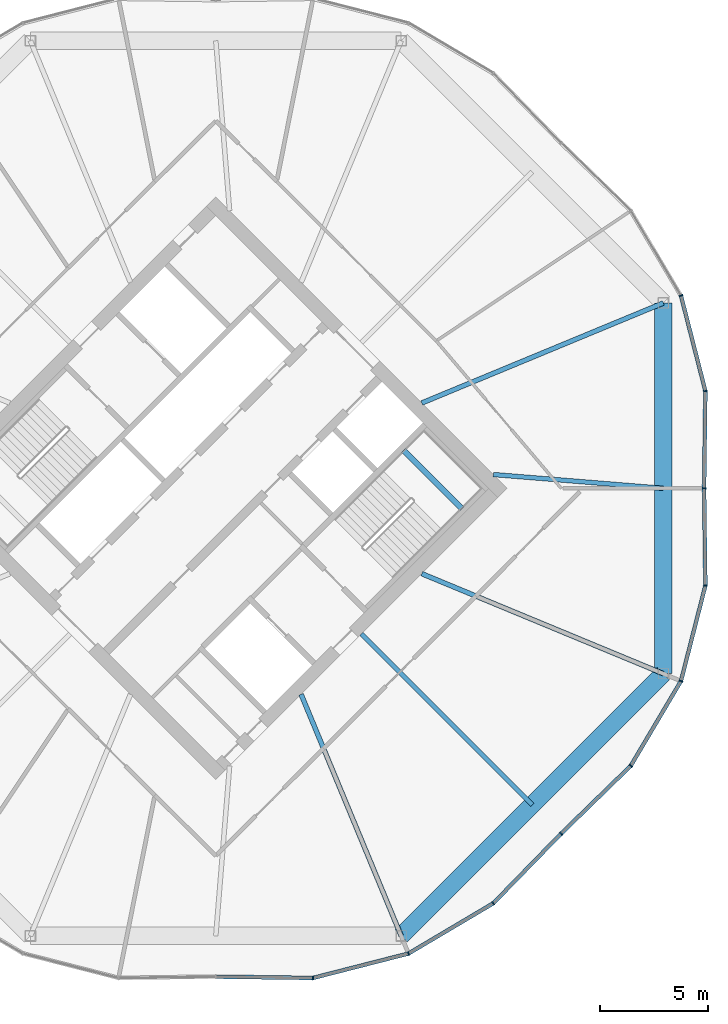
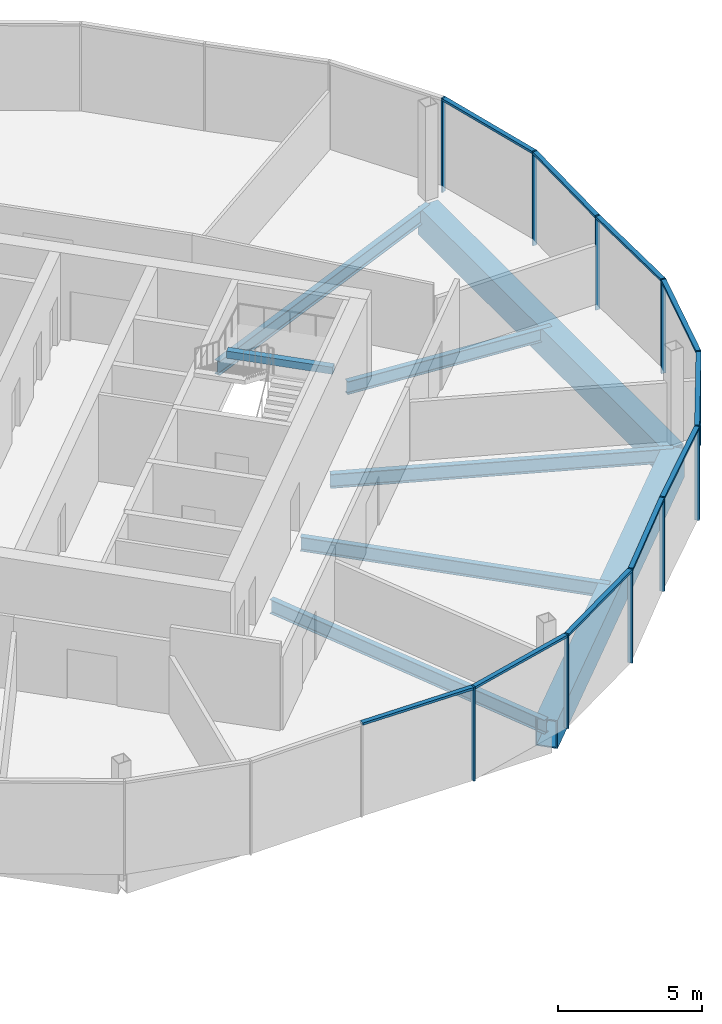
# One storey, part 14 of 25: 20 members, 8 beams, 3 elements without a shape of their own.
"""IFC4 building model written with IfcOpenShell, lengths in metres."""

from ifc_helpers import new_model, si_unit, direction, frame, origin, origin_2d, place, context, subcontext, project, spatial, rectangle, hollow_rectangle, i_section, extrude, material, material_profile, profile_set, type_object, element, aggregate, save


model = new_model("IFC4")

# Units and contexts
model_context = context("Model", 3, precision=1e-05, world=origin(), true_north=direction((0.0, 1.0)))
body_context = subcontext(model_context, "Body", "Model", "MODEL_VIEW")
ifc_project = project(units=[si_unit("LENGTHUNIT", "METRE"), si_unit("AREAUNIT", "SQUARE_METRE"), si_unit("VOLUMEUNIT", "CUBIC_METRE"), si_unit("PLANEANGLEUNIT", "RADIAN"), si_unit("MASSUNIT", "GRAM", prefix="KILO")], contexts=[model_context])

# Site, building, storey
site_placement = place(None, origin())
site = spatial("IfcSite", under=ifc_project, at=site_placement, CompositionType="ELEMENT")
building_placement = place(site_placement, origin())
building = spatial("IfcBuilding", under=site, at=building_placement, Name="Ogive Gate Towers", CompositionType="ELEMENT")
storey_placement = place(building_placement, frame((0.0, 0.0, 152.800048828125)))
storey = spatial("IfcBuildingStorey", under=building, at=storey_placement, Name="L36", CompositionType="ELEMENT", Elevation=152.800048828125)

# Beams
ifc_material_1 = material(Name="Steel SM460", Category="steel")
ifc_material_profile_1 = material_profile(ifc_material_1, hollow_rectangle(XDim=0.800048828125, YDim=1.199951171875, WallThickness=0.050048828125, at=origin_2d()), Name="BX 1200x800x50")
ifc_profile_set_1 = profile_set([ifc_material_profile_1], Name="Steel SM460")
beam_type_1 = type_object("IfcBeamType", Name="Edge girder BX 1200x800x50", PredefinedType="BEAM", material=ifc_profile_set_1)
beam_1_placement = place(storey_placement, frame((44.549072265625, -20.639404296875, -0.900146484375), z_axis=(0.707106781187, 0.707106781187, 0.0), x_axis=(-0.707106781187, 0.707106781187, 0.0)))
element("IfcBeam", 1, at=beam_1_placement, inside=storey, type_object=beam_type_1, Name="T2/L36/SBM019", PredefinedType="BEAM", context=body_context, shape_type="SweptSolid", body=[
    extrude(hollow_rectangle(XDim=0.800048828125, YDim=1.199951171875, WallThickness=0.050048828125, at=origin_2d()), origin(), (0.0, 0.0, 1.0), 17.098388671875),
])
beam_2_placement = place(storey_placement, frame((56.639404296875, -8.549072265625, -0.900146484375), z_axis=(0.0, 1.0, 0.0), x_axis=(-1.0, 0.0, 0.0)))
element("IfcBeam", 2, at=beam_2_placement, inside=storey, type_object=beam_type_1, Name="T2/L36/SBM020", PredefinedType="BEAM", context=body_context, shape_type="SweptSolid", body=[
    extrude(hollow_rectangle(XDim=0.800048828125, YDim=1.199951171875, WallThickness=0.050048828125, at=origin_2d()), origin(), (0.0, 0.0, 1.0), 17.09814453125),
])
ifc_material_2 = material(Name="Concrete C40/50", Category="concrete")
ifc_material_profile_2 = material_profile(ifc_material_2, rectangle(XDim=0.25, YDim=0.300048828125, at=origin_2d()), Name="RC 250x300")
ifc_profile_set_2 = profile_set([ifc_material_profile_2], Name="Concrete C40/50")
beam_type_2 = type_object("IfcBeamType", Name="Landing bearer RC 250x300", PredefinedType="BEAM", material=ifc_profile_set_2)
beam_3_placement = place(storey_placement, frame((47.35888671875, -0.94482421875, 1.64990234375), z_axis=(-0.707138693938, 0.707074866995, 0.0), x_axis=(-0.707074866995, -0.707138693938, 0.0)))
element("IfcBeam", 3, at=beam_3_placement, inside=storey, type_object=beam_type_2, Name="T2 L36 stair 2 landing bearer 1", PredefinedType="BEAM", context=body_context, shape_type="SweptSolid", body=[
    extrude(rectangle(XDim=0.25, YDim=0.300048828125, at=origin_2d()), origin(), (0.0, 0.0, 1.0), 3.824951171875),
])
ifc_material_3 = material(Name="Steel SM355", Category="steel")
ifc_material_profile_3 = material_profile(ifc_material_3, i_section(OverallWidth=0.2099609375, OverallDepth=0.550048828125, WebThickness=0.010986328125, FlangeThickness=0.01708984375, FilletRadius=0.02392578125, at=origin_2d()), Name="IPE 550")
ifc_profile_set_3 = profile_set([ifc_material_profile_3], Name="Steel SM355")
beam_type_3 = type_object("IfcBeamType", Name="Radial floor beam IPE 550", PredefinedType="BEAM", material=ifc_profile_set_3)
beam_4_placement = place(storey_placement, frame((48.798583984375, 0.636474609375, -0.574951171875), z_axis=(0.996721544062, -0.080908365468, 0.0), x_axis=(0.080908365468, 0.996721544062, 0.0)))
element("IfcBeam", 4, at=beam_4_placement, inside=storey, type_object=beam_type_3, Name="T2/L36/SBM008", PredefinedType="BEAM", context=body_context, shape_type="SweptSolid", body=[
    extrude(i_section(OverallWidth=0.2099609375, OverallDepth=0.550048828125, WebThickness=0.010986328125, FlangeThickness=0.01708984375, FilletRadius=0.02392578125, at=origin_2d()), origin(), (0.0, 0.0, 1.0), 7.86669921875),
])
ifc_material_profile_4 = material_profile(ifc_material_3, i_section(OverallWidth=0.219970703125, OverallDepth=0.60009765625, WebThickness=0.011962890625, FlangeThickness=0.01904296875, FilletRadius=0.02392578125, at=origin_2d()), Name="IPE 600")
ifc_profile_set_4 = profile_set([ifc_material_profile_4], Name="Steel SM355")
beam_type_4 = type_object("IfcBeamType", Name="Radial floor beam IPE 600", PredefinedType="BEAM", material=ifc_profile_set_4)
beam_5_placement = place(storey_placement, frame((39.93505859375, -9.5, -0.60009765625), z_axis=(0.382677863518, -0.923881839184, 0.0), x_axis=(0.923881839184, 0.382677863518, 0.0)))
element("IfcBeam", 5, at=beam_5_placement, inside=storey, type_object=beam_type_4, Name="T2/L36/SBM005", PredefinedType="BEAM", context=body_context, shape_type="SweptSolid", body=[
    extrude(i_section(OverallWidth=0.219970703125, OverallDepth=0.60009765625, WebThickness=0.011962890625, FlangeThickness=0.01904296875, FilletRadius=0.02392578125, at=origin_2d()), origin(), (0.0, 0.0, 1.0), 12.05712890625),
])
beam_6_placement = place(storey_placement, frame((42.717529296875, -6.717529296875, -0.60009765625), z_axis=(0.707106781187, -0.707106781187, 0.0), x_axis=(0.707106781187, 0.707106781187, 0.0)))
element("IfcBeam", 6, at=beam_6_placement, inside=storey, type_object=beam_type_4, Name="T2/L36/SBM006", PredefinedType="BEAM", context=body_context, shape_type="SweptSolid", body=[
    extrude(i_section(OverallWidth=0.219970703125, OverallDepth=0.60009765625, WebThickness=0.011962890625, FlangeThickness=0.01904296875, FilletRadius=0.02392578125, at=origin_2d()), origin(), (0.0, 0.0, 1.0), 11.139404296875),
])
for number, where, z_axis, x_axis, name in (
    (7, (45.5, -3.93505859375, -0.60009765625), (0.923881839184, -0.382677863518, 0.0), (0.382677863518, 0.923881839184, 0.0), "T2/L36/SBM007"),
    (8, (45.5, 3.93505859375, -0.60009765625), (0.923881839184, 0.382677863518, 0.0), (-0.382677863518, 0.923881839184, 0.0), "T2/L36/SBM009"),
):
    element("IfcBeam", number, at=place(storey_placement, frame(where, z_axis=z_axis, x_axis=x_axis)), inside=storey, type_object=beam_type_4, Name=name, PredefinedType="BEAM", context=body_context, shape_type="SweptSolid", body=[
        extrude(i_section(OverallWidth=0.219970703125, OverallDepth=0.60009765625, WebThickness=0.011962890625, FlangeThickness=0.01904296875, FilletRadius=0.02392578125, at=origin_2d()), origin(), (0.0, 0.0, 1.0), 12.05712890625),
    ])

# Curtain wall, members
ifc_material_4 = material(Name="Pale metal aluminium", Category="aluminium")
curtain_wall_type = type_object("IfcCurtainWallType", Name="Tower unitised wall, high zone", PredefinedType="NOTDEFINED", material=ifc_material_4)
curtain_wall_1_placement = place(storey_placement, origin())
curtain_wall_1 = element("IfcCurtainWall", 9, at=curtain_wall_1_placement, inside=storey, type_object=curtain_wall_type, Name="CW2 T2 ECW01", PredefinedType="NOTDEFINED")
ifc_material_profile_5 = material_profile(ifc_material_4, rectangle(XDim=0.179931640625, YDim=0.06005859375, at=origin_2d()), Name="60 x 180 aluminium box")
ifc_profile_set_5 = profile_set([ifc_material_profile_5], Name="Pale metal aluminium")
member_type_1 = type_object("IfcMemberType", Name="Tower unitised wall, high zone mullion 60 x 180", PredefinedType="MULLION", material=ifc_profile_set_5)
member_1_placement = place(storey_placement, frame((58.52001953125, 0.0, -0.300048828125), z_axis=(0.0, 0.0, 1.0), x_axis=(0.999911796124, -0.013281565099, 0.0)))
member_1 = element("IfcMember", 10, at=member_1_placement, type_object=member_type_1, Name="CW2 mullion", PredefinedType="MULLION", context=body_context, shape_type="SweptSolid", body=[
    extrude(rectangle(XDim=0.179931640625, YDim=0.06005859375, at=origin_2d()), origin(), (0.0, 0.0, 1.0), 4.0),
])
member_2_placement = place(storey_placement, frame((58.57958984375, 4.484130859375, -0.300048828125), z_axis=(0.0, 0.0, 1.0), x_axis=(0.992975837021, 0.118317315268, 0.0)))
member_2 = element("IfcMember", 11, at=member_2_placement, type_object=member_type_1, Name="CW2 mullion", PredefinedType="MULLION", context=body_context, shape_type="SweptSolid", body=[
    extrude(rectangle(XDim=0.179931640625, YDim=0.06005859375, at=origin_2d()), origin(), (0.0, 0.0, 1.0), 4.0),
])
member_3_placement = place(storey_placement, frame((57.45361328125, 8.88623046875, -0.300048828125), z_axis=(0.0, 0.0, 1.0), x_axis=(0.923879532511, 0.382683432365, 0.0)))
member_3 = element("IfcMember", 12, at=member_3_placement, type_object=member_type_1, Name="CW2 mullion", PredefinedType="MULLION", context=body_context, shape_type="SweptSolid", body=[
    extrude(rectangle(XDim=0.179931640625, YDim=0.06005859375, at=origin_2d()), origin(), (0.0, 0.0, 1.0), 4.0),
])

curtain_wall_2_placement = place(storey_placement, origin())
curtain_wall_2 = element("IfcCurtainWall", 13, at=curtain_wall_2_placement, inside=storey, type_object=curtain_wall_type, Name="CW2 T2 ECW07", PredefinedType="NOTDEFINED")
member_4_placement = place(storey_placement, frame((40.484130859375, -22.57958984375, -0.300048828125), z_axis=(0.0, 0.0, 1.0), x_axis=(0.118317315268, -0.992975837021, 0.0)))
member_4 = element("IfcMember", 14, at=member_4_placement, type_object=member_type_1, Name="CW2 mullion", PredefinedType="MULLION", context=body_context, shape_type="SweptSolid", body=[
    extrude(rectangle(XDim=0.179931640625, YDim=0.06005859375, at=origin_2d()), origin(), (0.0, 0.0, 1.0), 4.0),
])
member_5_placement = place(storey_placement, frame((44.88623046875, -21.45361328125, -0.300048828125), z_axis=(0.0, 0.0, 1.0), x_axis=(0.382683432365, -0.923879532511, 0.0)))
member_5 = element("IfcMember", 15, at=member_5_placement, type_object=member_type_1, Name="CW2 mullion", PredefinedType="MULLION", context=body_context, shape_type="SweptSolid", body=[
    extrude(rectangle(XDim=0.179931640625, YDim=0.06005859375, at=origin_2d()), origin(), (0.0, 0.0, 1.0), 4.0),
])
member_6_placement = place(storey_placement, frame((48.79541015625, -19.136962890625, -0.300048828125), z_axis=(0.0, 0.0, 1.0), x_axis=(0.618476971954, -0.78580292387, 0.0)))
member_6 = element("IfcMember", 16, at=member_6_placement, type_object=member_type_1, Name="CW2 mullion", PredefinedType="MULLION", context=body_context, shape_type="SweptSolid", body=[
    extrude(rectangle(XDim=0.179931640625, YDim=0.06005859375, at=origin_2d()), origin(), (0.0, 0.0, 1.0), 4.0),
])
member_7_placement = place(storey_placement, frame((51.923828125, -15.924072265625, -0.300048828125), z_axis=(0.0, 0.0, 1.0), x_axis=(0.716435896374, -0.697652926882, 0.0)))
member_7 = element("IfcMember", 17, at=member_7_placement, type_object=member_type_1, Name="CW2 mullion", PredefinedType="MULLION", context=body_context, shape_type="SweptSolid", body=[
    extrude(rectangle(XDim=0.179931640625, YDim=0.06005859375, at=origin_2d()), origin(), (0.0, 0.0, 1.0), 4.0),
])

curtain_wall_3_placement = place(storey_placement, origin())
curtain_wall_3 = element("IfcCurtainWall", 18, at=curtain_wall_3_placement, inside=storey, type_object=curtain_wall_type, Name="CW2 T2 ECW08", PredefinedType="NOTDEFINED")
member_8_placement = place(storey_placement, frame((55.136962890625, -12.79541015625, -0.300048828125), z_axis=(0.0, 0.0, 1.0), x_axis=(0.78580292387, -0.618476971954, 0.0)))
member_8 = element("IfcMember", 19, at=member_8_placement, type_object=member_type_1, Name="CW2 mullion", PredefinedType="MULLION", context=body_context, shape_type="SweptSolid", body=[
    extrude(rectangle(XDim=0.179931640625, YDim=0.06005859375, at=origin_2d()), origin(), (0.0, 0.0, 1.0), 4.0),
])
member_9_placement = place(storey_placement, frame((57.45361328125, -8.88623046875, -0.300048828125), z_axis=(0.0, 0.0, 1.0), x_axis=(0.923879532511, -0.382683432365, 0.0)))
member_9 = element("IfcMember", 20, at=member_9_placement, type_object=member_type_1, Name="CW2 mullion", PredefinedType="MULLION", context=body_context, shape_type="SweptSolid", body=[
    extrude(rectangle(XDim=0.179931640625, YDim=0.06005859375, at=origin_2d()), origin(), (0.0, 0.0, 1.0), 4.0),
])
member_10_placement = place(storey_placement, frame((58.57958984375, -4.484130859375, -0.300048828125), z_axis=(0.0, 0.0, 1.0), x_axis=(0.992975837021, -0.118317315268, 0.0)))
member_10 = element("IfcMember", 21, at=member_10_placement, type_object=member_type_1, Name="CW2 mullion", PredefinedType="MULLION", context=body_context, shape_type="SweptSolid", body=[
    extrude(rectangle(XDim=0.179931640625, YDim=0.06005859375, at=origin_2d()), origin(), (0.0, 0.0, 1.0), 4.0),
])

# Member
ifc_material_profile_6 = material_profile(ifc_material_4, rectangle(XDim=0.179931640625, YDim=0.10009765625, at=origin_2d()), Name="100 x 180 aluminium box")
ifc_profile_set_6 = profile_set([ifc_material_profile_6], Name="Pale metal aluminium")
member_type_2 = type_object("IfcMemberType", Name="Tower unitised wall, high zone transom 100 x 180", PredefinedType="USERDEFINED", material=ifc_profile_set_6)
member_11_placement = place(storey_placement, frame((58.5205078125, 0.030029296875, 3.64990234375), z_axis=(0.013238758058, 0.999912363802, 0.0), x_axis=(-0.999912363802, 0.013238758058, 0.0)))
member_11 = element("IfcMember", 22, at=member_11_placement, type_object=member_type_2, Name="CW2 transom", ObjectType="TRANSOM", PredefinedType="USERDEFINED", context=body_context, shape_type="SweptSolid", body=[
    extrude(rectangle(XDim=0.179931640625, YDim=0.10009765625, at=origin_2d()), origin(), (0.0, 0.0, 1.0), 4.426025390625),
])

member_12_placement = place(storey_placement, frame((58.572509765625, 4.511962890625, 3.64990234375), z_axis=(-0.247858192196, 0.968796323569, 0.0), x_axis=(-0.968796323569, -0.247858192196, 0.0)))
member_12 = element("IfcMember", 23, at=member_12_placement, type_object=member_type_2, Name="CW2 transom", ObjectType="TRANSOM", PredefinedType="USERDEFINED", context=body_context, shape_type="SweptSolid", body=[
    extrude(rectangle(XDim=0.179931640625, YDim=0.10009765625, at=origin_2d()), origin(), (0.0, 0.0, 1.0), 4.486572265625),
])

aggregate(curtain_wall_1, [member_1, member_2, member_11, member_3, member_12])

member_13_placement = place(storey_placement, frame((36.030029296875, -22.5205078125, 3.64990234375), z_axis=(0.999912363802, -0.013238758058, 0.0), x_axis=(0.013238758058, 0.999912363802, 0.0)))
member_13 = element("IfcMember", 24, at=member_13_placement, type_object=member_type_2, Name="CW2 transom", ObjectType="TRANSOM", PredefinedType="USERDEFINED", context=body_context, shape_type="SweptSolid", body=[
    extrude(rectangle(XDim=0.179931640625, YDim=0.10009765625, at=origin_2d()), origin(), (0.0, 0.0, 1.0), 4.426025390625),
])

member_14_placement = place(storey_placement, frame((40.511962890625, -22.572509765625, 3.64990234375), z_axis=(0.968796323569, 0.247858192196, 0.0), x_axis=(-0.247858192196, 0.968796323569, 0.0)))
member_14 = element("IfcMember", 25, at=member_14_placement, type_object=member_type_2, Name="CW2 transom", ObjectType="TRANSOM", PredefinedType="USERDEFINED", context=body_context, shape_type="SweptSolid", body=[
    extrude(rectangle(XDim=0.179931640625, YDim=0.10009765625, at=origin_2d()), origin(), (0.0, 0.0, 1.0), 4.486572265625),
])

member_15_placement = place(storey_placement, frame((44.910888671875, -21.438720703125, 3.64990234375), z_axis=(0.860312746739, 0.509766591489, 0.0), x_axis=(-0.509766591489, 0.860312746739, 0.0)))
member_15 = element("IfcMember", 26, at=member_15_placement, type_object=member_type_2, Name="CW2 transom", ObjectType="TRANSOM", PredefinedType="USERDEFINED", context=body_context, shape_type="SweptSolid", body=[
    extrude(rectangle(XDim=0.179931640625, YDim=0.10009765625, at=origin_2d()), origin(), (0.0, 0.0, 1.0), 4.486572265625),
])

member_16_placement = place(storey_placement, frame((48.8154296875, -19.116455078125, 3.64990234375), z_axis=(0.697639038006, 0.71644942086, 0.0), x_axis=(-0.71644942086, 0.697639038006, 0.0)))
member_16 = element("IfcMember", 27, at=member_16_placement, type_object=member_type_2, Name="CW2 transom", ObjectType="TRANSOM", PredefinedType="USERDEFINED", context=body_context, shape_type="SweptSolid", body=[
    extrude(rectangle(XDim=0.179931640625, YDim=0.10009765625, at=origin_2d()), origin(), (0.0, 0.0, 1.0), 4.42578125),
])

aggregate(curtain_wall_2, [member_4, member_13, member_5, member_14, member_6, member_15, member_7, member_16])

member_17_placement = place(storey_placement, frame((51.945556640625, -15.903076171875, 3.64990234375), z_axis=(0.71644942086, 0.697639038006, 0.0), x_axis=(-0.697639038006, 0.71644942086, 0.0)))
member_17 = element("IfcMember", 28, at=member_17_placement, type_object=member_type_2, Name="CW2 transom", ObjectType="TRANSOM", PredefinedType="USERDEFINED", context=body_context, shape_type="SweptSolid", body=[
    extrude(rectangle(XDim=0.179931640625, YDim=0.10009765625, at=origin_2d()), origin(), (0.0, 0.0, 1.0), 4.42578125),
])

member_18_placement = place(storey_placement, frame((55.151611328125, -12.770751953125, 3.64990234375), z_axis=(0.509766591489, 0.860312746739, 0.0), x_axis=(-0.860312746739, 0.509766591489, 0.0)))
member_18 = element("IfcMember", 29, at=member_18_placement, type_object=member_type_2, Name="CW2 transom", ObjectType="TRANSOM", PredefinedType="USERDEFINED", context=body_context, shape_type="SweptSolid", body=[
    extrude(rectangle(XDim=0.179931640625, YDim=0.10009765625, at=origin_2d()), origin(), (0.0, 0.0, 1.0), 4.486572265625),
])

member_19_placement = place(storey_placement, frame((57.46044921875, -8.858642578125, 3.64990234375), z_axis=(0.247858192196, 0.968796323569, 0.0), x_axis=(-0.968796323569, 0.247858192196, 0.0)))
member_19 = element("IfcMember", 30, at=member_19_placement, type_object=member_type_2, Name="CW2 transom", ObjectType="TRANSOM", PredefinedType="USERDEFINED", context=body_context, shape_type="SweptSolid", body=[
    extrude(rectangle(XDim=0.179931640625, YDim=0.10009765625, at=origin_2d()), origin(), (0.0, 0.0, 1.0), 4.486572265625),
])

member_20_placement = place(storey_placement, frame((58.5791015625, -4.45556640625, 3.64990234375), z_axis=(-0.013238758058, 0.999912363802, 0.0), x_axis=(-0.999912363802, -0.013238758058, 0.0)))
member_20 = element("IfcMember", 31, at=member_20_placement, type_object=member_type_2, Name="CW2 transom", ObjectType="TRANSOM", PredefinedType="USERDEFINED", context=body_context, shape_type="SweptSolid", body=[
    extrude(rectangle(XDim=0.179931640625, YDim=0.10009765625, at=origin_2d()), origin(), (0.0, 0.0, 1.0), 4.426025390625),
])

aggregate(curtain_wall_3, [member_8, member_17, member_9, member_18, member_10, member_19, member_20])

save(model, "model.ifc")
